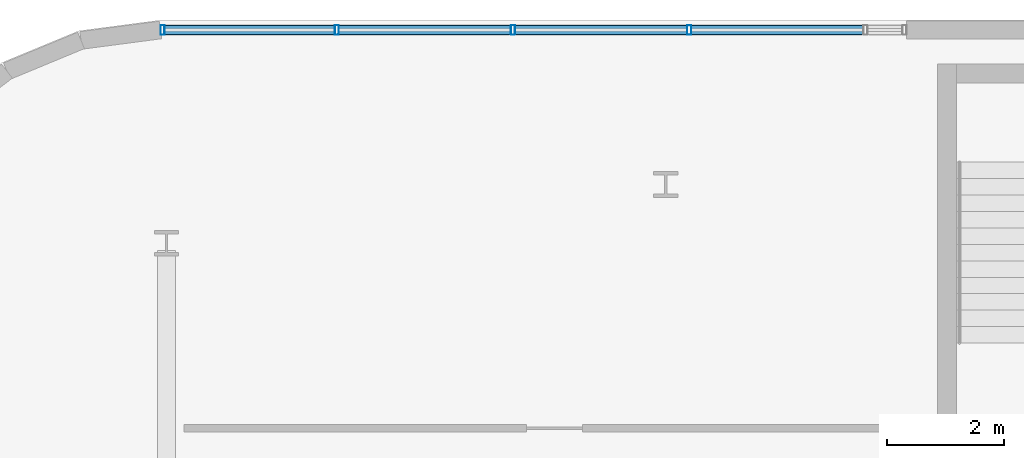
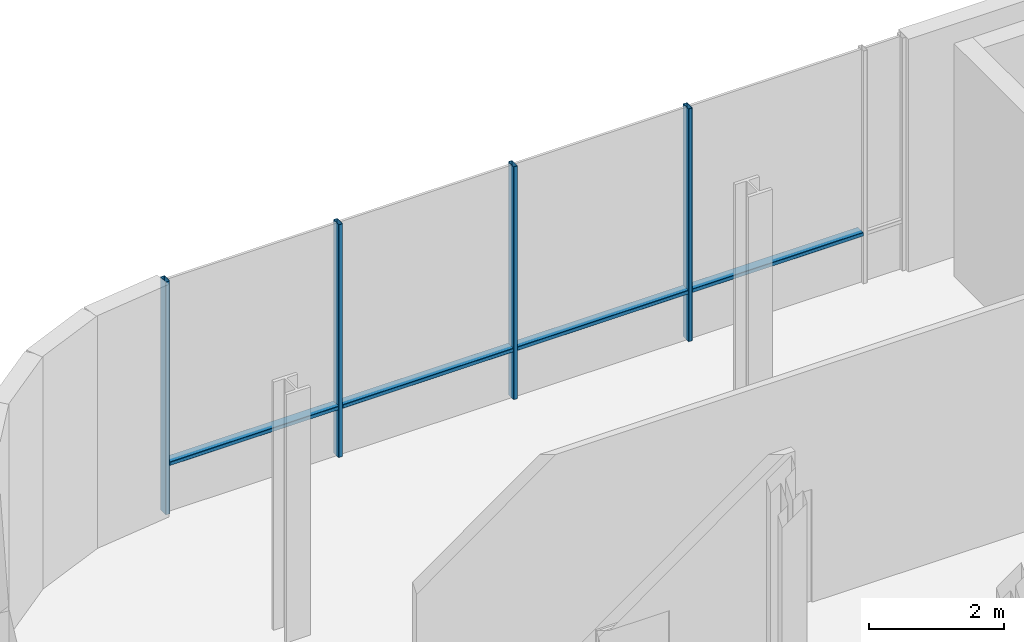
# One storey, part 5 of 25: 8 members, 1 element without a shape of its own.
"""IFC4 building model written with IfcOpenShell, lengths in metres."""

from ifc_helpers import new_model, si_unit, direction, frame, origin, origin_2d, place, context, subcontext, project, spatial, hollow_rectangle, extrude, material, layer, layer_set, material_profile, profile_set, type_object, element, aggregate, save


model = new_model("IFC4")

# Units and contexts
model_context = context("Model", 3, precision=1e-05, world=origin(), true_north=direction((0.0, 1.0)))
body_context = subcontext(model_context, "Body", "Model", "MODEL_VIEW")
ifc_project = project(units=[si_unit("LENGTHUNIT", "METRE"), si_unit("AREAUNIT", "SQUARE_METRE"), si_unit("VOLUMEUNIT", "CUBIC_METRE"), si_unit("PLANEANGLEUNIT", "RADIAN"), si_unit("MASSUNIT", "GRAM", prefix="KILO")], contexts=[model_context])

# Site, building, storey
site_placement = place(None, origin())
site = spatial("IfcSite", under=ifc_project, at=site_placement, CompositionType="ELEMENT")
building_placement = place(site_placement, origin())
building = spatial("IfcBuilding", under=site, at=building_placement, Name="Brevholm Reach", CompositionType="ELEMENT")
storey_placement = place(building_placement, frame((0.0, 0.0, 4.5)))
storey = spatial("IfcBuildingStorey", under=building, at=storey_placement, Name="L01", CompositionType="ELEMENT", Elevation=4.5)

# Curtain wall, members
ifc_material_1 = material(Name="Dark Anodised Aluminium 6063-T6 and Solar-Control Glass", Category="aluminium")
ifc_layer = layer(ifc_material_1, 0.1650390625)
ifc_layer_set = layer_set([ifc_layer], Name="Dark Anodised Aluminium 6063-T6 and Solar-Control Glass")
curtain_wall_type = type_object("IfcCurtainWallType", Name="CW-03", PredefinedType="NOTDEFINED", material=ifc_layer_set)
curtain_wall_placement = place(storey_placement, origin())
curtain_wall = element("IfcCurtainWall", 1, at=curtain_wall_placement, inside=storey, type_object=curtain_wall_type, Name="L01 Curtain Wall CW-03", PredefinedType="NOTDEFINED")
ifc_material_2 = material(Name="Dark Anodised Aluminium 6063-T6", Category="aluminium")
ifc_material_profile_1 = material_profile(ifc_material_2, hollow_rectangle(XDim=0.070068359375, YDim=0.1650390625, WallThickness=0.0048828125, InnerFilletRadius=0.0048828125, OuterFilletRadius=0.010009765625, at=origin_2d()), Name="RHS 165x70x5")
ifc_profile_set_1 = profile_set([ifc_material_profile_1], Name="Dark Anodised Aluminium 6063-T6")
member_type_1 = type_object("IfcMemberType", Name="CWM-165", PredefinedType="MULLION", material=ifc_profile_set_1)
member_1_placement = place(storey_placement, frame((-5.56494140625, 39.830078125, 0.0), z_axis=(0.0, 0.0, 1.0), x_axis=(1.0, 0.0, 0.0)))
member_1 = element("IfcMember", 2, at=member_1_placement, type_object=member_type_1, Name="CM-165 Mullion 1", PredefinedType="MULLION", context=body_context, shape_type="SweptSolid", body=[
    extrude(hollow_rectangle(XDim=0.070068359375, YDim=0.1650390625, WallThickness=0.0048828125, InnerFilletRadius=0.0048828125, OuterFilletRadius=0.010009765625, at=origin_2d()), origin(), (0.0, 0.0, 1.0), 4.219970703125),
])
member_2_placement = place(storey_placement, frame((-2.60009765625, 39.830078125, 0.0), z_axis=(0.0, 0.0, 1.0), x_axis=(1.0, 0.0, 0.0)))
member_2 = element("IfcMember", 3, at=member_2_placement, type_object=member_type_1, Name="CM-165 Mullion 2", PredefinedType="MULLION", context=body_context, shape_type="SweptSolid", body=[
    extrude(hollow_rectangle(XDim=0.070068359375, YDim=0.1650390625, WallThickness=0.0048828125, InnerFilletRadius=0.0048828125, OuterFilletRadius=0.010009765625, at=origin_2d()), origin(), (0.0, 0.0, 1.0), 4.219970703125),
])
member_3_placement = place(storey_placement, frame((0.39990234375, 39.830078125, 0.0), z_axis=(0.0, 0.0, 1.0), x_axis=(1.0, 0.0, 0.0)))
member_3 = element("IfcMember", 4, at=member_3_placement, type_object=member_type_1, Name="CM-165 Mullion 3", PredefinedType="MULLION", context=body_context, shape_type="SweptSolid", body=[
    extrude(hollow_rectangle(XDim=0.070068359375, YDim=0.1650390625, WallThickness=0.0048828125, InnerFilletRadius=0.0048828125, OuterFilletRadius=0.010009765625, at=origin_2d()), origin(), (0.0, 0.0, 1.0), 4.219970703125),
])
member_4_placement = place(storey_placement, frame((3.39990234375, 39.830078125, 0.0), z_axis=(0.0, 0.0, 1.0), x_axis=(1.0, 0.0, 0.0)))
member_4 = element("IfcMember", 5, at=member_4_placement, type_object=member_type_1, Name="CM-165 Mullion 4", PredefinedType="MULLION", context=body_context, shape_type="SweptSolid", body=[
    extrude(hollow_rectangle(XDim=0.070068359375, YDim=0.1650390625, WallThickness=0.0048828125, InnerFilletRadius=0.0048828125, OuterFilletRadius=0.010009765625, at=origin_2d()), origin(), (0.0, 0.0, 1.0), 4.219970703125),
])
ifc_material_3 = material(Name="Dark Anodised Aluminium 6063-T6", Category="aluminium")
ifc_material_profile_2 = material_profile(ifc_material_3, hollow_rectangle(XDim=0.070068359375, YDim=0.1650390625, WallThickness=0.0048828125, InnerFilletRadius=0.0048828125, OuterFilletRadius=0.010009765625, at=origin_2d()), Name="RHS 165x70x5")
ifc_profile_set_2 = profile_set([ifc_material_profile_2], Name="Dark Anodised Aluminium 6063-T6")
member_type_2 = type_object("IfcMemberType", Name="CWT-165", PredefinedType="NOTDEFINED", material=ifc_profile_set_2)
member_5_placement = place(storey_placement, frame((-5.530029296875, 39.830078125, 0.89990234375), z_axis=(1.0, 0.0, 0.0), x_axis=(0.0, 0.0, 1.0)))
member_5 = element("IfcMember", 6, at=member_5_placement, type_object=member_type_2, Name="CT-165 Transom 1.1", ObjectType="TRANSOM", PredefinedType="USERDEFINED", context=body_context, shape_type="SweptSolid", body=[
    extrude(hollow_rectangle(XDim=0.070068359375, YDim=0.1650390625, WallThickness=0.0048828125, InnerFilletRadius=0.0048828125, OuterFilletRadius=0.010009765625, at=origin_2d()), origin(), (0.0, 0.0, 1.0), 2.89501953125),
])
member_6_placement = place(storey_placement, frame((-2.56494140625, 39.830078125, 0.89990234375), z_axis=(1.0, 0.0, 0.0), x_axis=(0.0, 0.0, 1.0)))
member_6 = element("IfcMember", 7, at=member_6_placement, type_object=member_type_2, Name="CT-165 Transom 2.1", ObjectType="TRANSOM", PredefinedType="USERDEFINED", context=body_context, shape_type="SweptSolid", body=[
    extrude(hollow_rectangle(XDim=0.070068359375, YDim=0.1650390625, WallThickness=0.0048828125, InnerFilletRadius=0.0048828125, OuterFilletRadius=0.010009765625, at=origin_2d()), origin(), (0.0, 0.0, 1.0), 2.929931640625),
])
member_7_placement = place(storey_placement, frame((0.43505859375, 39.830078125, 0.89990234375), z_axis=(1.0, 0.0, 0.0), x_axis=(0.0, 0.0, 1.0)))
member_7 = element("IfcMember", 8, at=member_7_placement, type_object=member_type_2, Name="CT-165 Transom 3.1", ObjectType="TRANSOM", PredefinedType="USERDEFINED", context=body_context, shape_type="SweptSolid", body=[
    extrude(hollow_rectangle(XDim=0.070068359375, YDim=0.1650390625, WallThickness=0.0048828125, InnerFilletRadius=0.0048828125, OuterFilletRadius=0.010009765625, at=origin_2d()), origin(), (0.0, 0.0, 1.0), 2.929931640625),
])
member_8_placement = place(storey_placement, frame((3.43505859375, 39.830078125, 0.89990234375), z_axis=(1.0, 0.0, 0.0), x_axis=(0.0, 0.0, 1.0)))
member_8 = element("IfcMember", 9, at=member_8_placement, type_object=member_type_2, Name="CT-165 Transom 4.1", ObjectType="TRANSOM", PredefinedType="USERDEFINED", context=body_context, shape_type="SweptSolid", body=[
    extrude(hollow_rectangle(XDim=0.070068359375, YDim=0.1650390625, WallThickness=0.0048828125, InnerFilletRadius=0.0048828125, OuterFilletRadius=0.010009765625, at=origin_2d()), origin(), (0.0, 0.0, 1.0), 2.929931640625),
])
aggregate(curtain_wall, [member_1, member_2, member_3, member_4, member_5, member_6, member_7, member_8])

save(model, "model.ifc")
